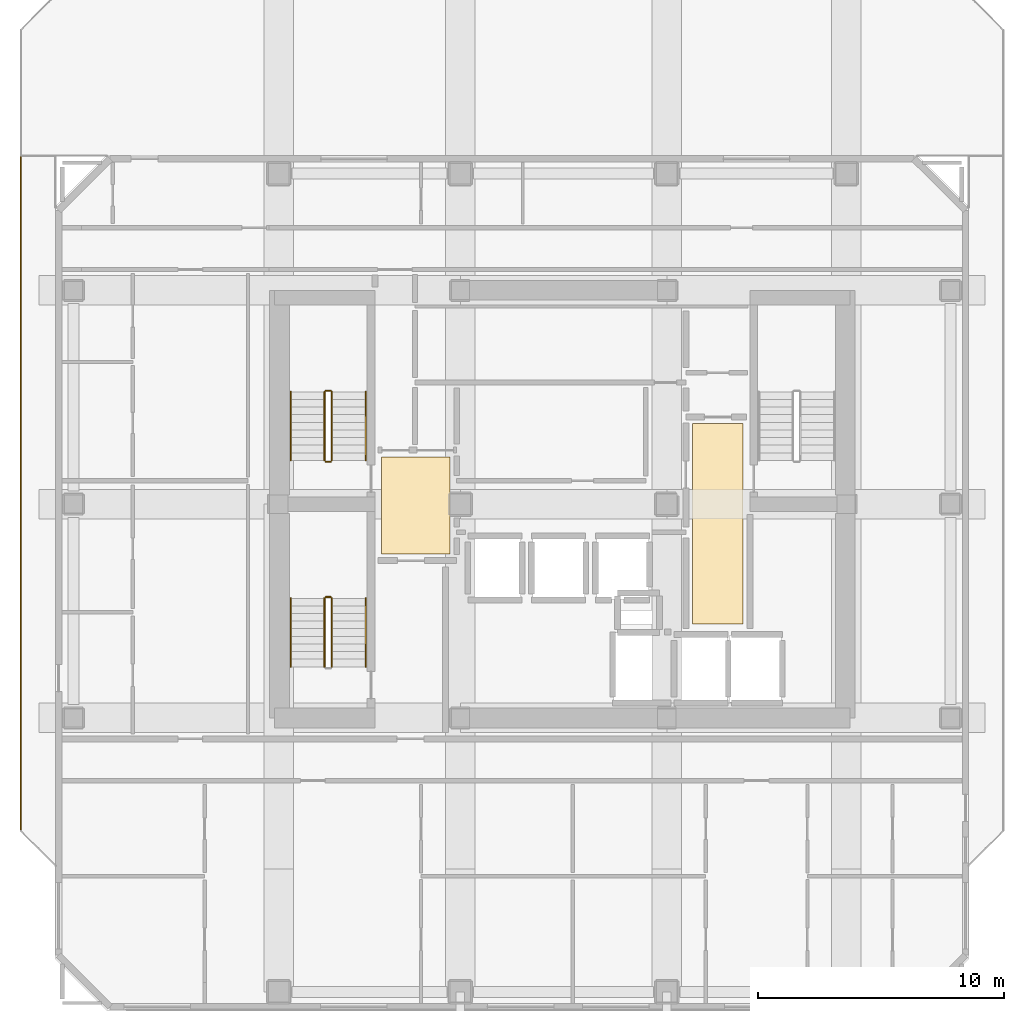
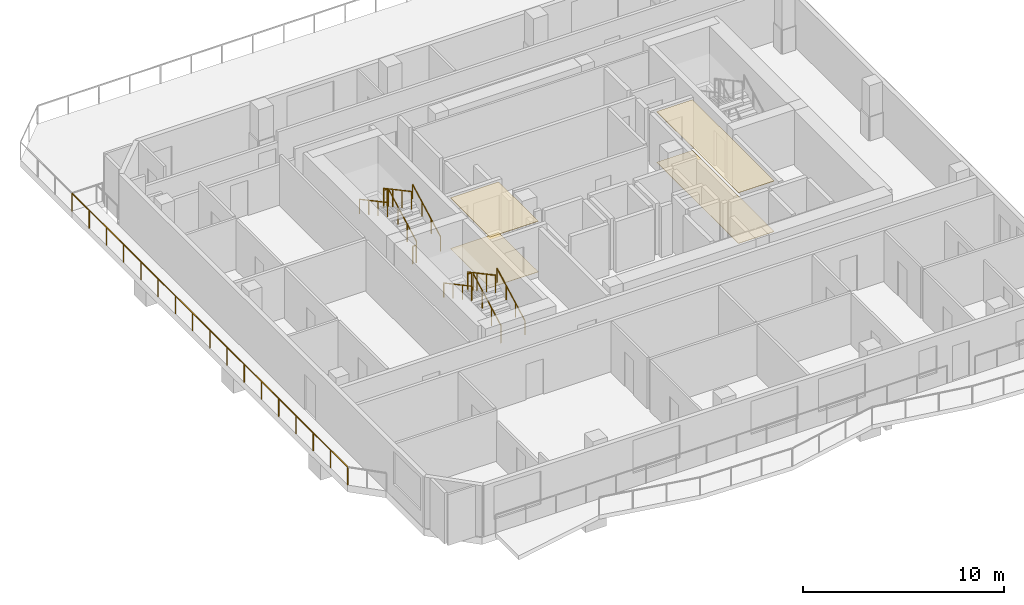
# One storey, part 8 of 10: 12 railings, 4 coverings.
"""IFC4 building model written with IfcOpenShell, lengths in metres."""

import ifcopenshell
import ifcopenshell.guid

model = None  # the IFC model being written
_history = None  # IfcOwnerHistory: only IFC2X3 demands one
_inside = {}  # id of a spatial element -> (the spatial element, [elements in it])
_under = {}  # id of a project, library or spatial element -> (it, [spatial elements below it])
_declared = {}  # id of a project -> (the project, [libraries it declares])
_typed = {}  # id of a type object -> (the type object, [elements of that type])
_made_of = {}  # id of a material, layer set ... -> (it, [elements and type objects made of it])


def new_model(schema):
    """Start an empty IFC model of exactly this schema.

    Asked for "IFC4X3", IfcOpenShell would pick the latest addendum, in which some entities
    have other attributes; the version numbers below select the first issue.
    IFC2X3 requires an IfcOwnerHistory on every rooted entity: one is made here for all.
    """
    global model, _history
    if schema == "IFC4X3":
        model = ifcopenshell.file(schema_version=(4, 3, 0, 0))
    else:
        model = ifcopenshell.file(schema=schema)
    _inside.clear()
    _under.clear()
    _declared.clear()
    _typed.clear()
    _made_of.clear()
    _history = None
    if model.schema == "IFC2X3":
        org = make("IfcOrganization", Name="unknown")
        user = make(
            "IfcPersonAndOrganization",
            ThePerson=make("IfcPerson", FamilyName="unknown"),
            TheOrganization=org,
        )
        app = make(
            "IfcApplication",
            ApplicationDeveloper=org,
            Version="unknown",
            ApplicationFullName="unknown",
            ApplicationIdentifier="unknown",
        )
        _history = make(
            "IfcOwnerHistory",
            OwningUser=user,
            OwningApplication=app,
            ChangeAction="ADDED",
            CreationDate=0,
        )
    return model


def make(cls, **values):
    """One entity of the class cls with the attributes given. An attribute that is None is left unset."""
    return model.create_entity(
        cls, **{name: value for name, value in values.items() if value is not None}
    )


def rooted(cls, **values):
    """An entity with a GlobalId (a new one), such as an element, a storey or a relation."""
    return make(cls, GlobalId=ifcopenshell.guid.new(), OwnerHistory=_history, **values)


def si_unit(unit_type, name, prefix=None):
    """IfcSIUnit, for example si_unit("LENGTHUNIT", "METRE", prefix="MILLI")."""
    return make("IfcSIUnit", UnitType=unit_type, Prefix=prefix, Name=name)


def assignment(units):
    """IfcUnitAssignment: the units of a project."""
    return None if units is None else make("IfcUnitAssignment", Units=units)


def point(xyz):
    """IfcCartesianPoint."""
    return None if xyz is None else make("IfcCartesianPoint", Coordinates=xyz)


def direction(xyz):
    """IfcDirection."""
    return None if xyz is None else make("IfcDirection", DirectionRatios=xyz)


def frame(location, z_axis=None, x_axis=None):
    """IfcAxis2Placement3D, a coordinate frame: its origin and axes. An axis left out is left unset."""
    return make(
        "IfcAxis2Placement3D",
        Location=point(location),
        Axis=direction(z_axis),
        RefDirection=direction(x_axis),
    )


def frame_2d(location, x_axis=None):
    """IfcAxis2Placement2D, a coordinate frame in the plane: its origin and x axis."""
    return make(
        "IfcAxis2Placement2D", Location=point(location), RefDirection=direction(x_axis)
    )


def origin():
    """The frame at (0, 0, 0) with its axes left unset."""
    return frame((0.0, 0.0, 0.0))


def origin_2d():
    """The frame at (0, 0) in the plane with its x axis left unset."""
    return frame_2d((0.0, 0.0))


def place(relative_to, where):
    """IfcLocalPlacement: puts the frame where relative to a parent placement (None: the world)."""
    return make(
        "IfcLocalPlacement", PlacementRelTo=relative_to, RelativePlacement=where
    )


def context(
    kind, dimensions, precision=None, world=None, true_north=None, identifier=None
):
    """IfcGeometricRepresentationContext, for example the 3D "Model" context."""
    return make(
        "IfcGeometricRepresentationContext",
        ContextIdentifier=identifier,
        ContextType=kind,
        CoordinateSpaceDimension=dimensions,
        Precision=precision,
        WorldCoordinateSystem=world,
        TrueNorth=true_north,
    )


def subcontext(parent, identifier, kind, view, scale=None):
    """IfcGeometricRepresentationSubContext, for example "Body" below "Model"."""
    return make(
        "IfcGeometricRepresentationSubContext",
        ContextIdentifier=identifier,
        ContextType=kind,
        ParentContext=parent,
        TargetScale=scale,
        TargetView=view,
    )


def project(units=None, contexts=None):
    """IfcProject with its units and contexts."""
    return rooted(
        "IfcProject",
        Name="project",
        RepresentationContexts=contexts,
        UnitsInContext=assignment(units),
    )


def spatial(cls, under=None, at=None, **own):
    """A site, building, storey or space (cls), placed at a placement, below another one or the project."""
    s = rooted(cls, ObjectPlacement=at, **own)
    if under is not None:
        _under.setdefault(under.id(), (under, []))[1].append(s)
    return s


def polyline(points):
    """IfcPolyline through the points."""
    return make("IfcPolyline", Points=[point(p) for p in points])


def profile(cls, at=None, kind="AREA", **sizes):
    """A parametric profile (cls). Its sizes go by their IFC names, for example OverallWidth=200.0."""
    return make(cls, ProfileType=kind, Position=at, **sizes)


def rectangle(**sizes):
    """IfcRectangleProfileDef."""
    return profile("IfcRectangleProfileDef", **sizes)


def outline(outer, holes=None, kind="AREA"):
    """IfcArbitraryClosedProfileDef: a profile drawn as a closed curve; with holes, ...WithVoids."""
    if holes is None:
        return make("IfcArbitraryClosedProfileDef", ProfileType=kind, OuterCurve=outer)
    return make(
        "IfcArbitraryProfileDefWithVoids",
        ProfileType=kind,
        OuterCurve=outer,
        InnerCurves=holes,
    )


def extrude(swept, where, along, depth):
    """IfcExtrudedAreaSolid: the profile swept, set in the frame where, extruded along a direction by depth."""
    return make(
        "IfcExtrudedAreaSolid",
        SweptArea=swept,
        Position=where,
        ExtrudedDirection=direction(along),
        Depth=depth,
    )


def shape(context_of_items, identifier, shape_type, items):
    """IfcShapeRepresentation: the items that make up one representation, for example the "Body"."""
    return make(
        "IfcShapeRepresentation",
        ContextOfItems=context_of_items,
        RepresentationIdentifier=identifier,
        RepresentationType=shape_type,
        Items=items,
    )


def material(Name=None, Category=None):
    """IfcMaterial."""
    return make("IfcMaterial", Name=Name, Category=Category)


def layer(
    of_material, thickness, ventilated=None, Name=None, Category=None, Priority=None
):
    """IfcMaterialLayer: one layer of a wall or slab, of a material (None: an air gap)."""
    return make(
        "IfcMaterialLayer",
        Material=of_material,
        LayerThickness=thickness,
        IsVentilated=ventilated,
        Name=Name,
        Category=Category,
        Priority=Priority,
    )


def layer_set(layers, Name=None):
    """IfcMaterialLayerSet."""
    return make("IfcMaterialLayerSet", MaterialLayers=layers, LayerSetName=Name)


def made_of(thing, what):
    """Note that an element or type object is made of a material, layer set ...; save() writes the relation."""
    if what is not None:
        _made_of.setdefault(what.id(), (what, []))[1].append(thing)
    return thing


def type_object(cls, material=None, **own):
    """A type object (cls), such as IfcWallType, which elements share."""
    return made_of(rooted(cls, **own), material)


def element(
    cls,
    number,
    at=None,
    inside=None,
    cuts=None,
    type_object=None,
    material=None,
    context=None,
    identifier="Body",
    shape_type=None,
    held_by="IfcProductDefinitionShape",
    body=None,
    shapes=None,
    **own,
):
    """One element of the class cls, such as IfcWall. Its Tag is "e" and its number.

    at: its placement. inside: the storey or other place that contains it. cuts: it is an
    opening in that element (IfcRelVoidsElement). A single representation is given by context,
    identifier, shape_type and body (its items); several are given by shapes. held_by: the class
    of the entity that holds the representations. save() writes the other relations.
    """
    e = rooted(cls, Tag="e%d" % number, ObjectPlacement=at, **own)
    if body is not None:
        shapes = [shape(context, identifier, shape_type, body)]
    if shapes is not None:
        e.Representation = make(held_by, Representations=shapes)
    if inside is not None:
        _inside.setdefault(inside.id(), (inside, []))[1].append(e)
    if cuts is not None:
        rooted(
            "IfcRelVoidsElement", RelatingBuildingElement=cuts, RelatedOpeningElement=e
        )
    if type_object is not None:
        _typed.setdefault(type_object.id(), (type_object, []))[1].append(e)
    return made_of(e, material)


def aggregate(whole, parts):
    """IfcRelAggregates: a whole, such as a stair, and the parts it consists of."""
    return rooted("IfcRelAggregates", RelatingObject=whole, RelatedObjects=parts)


def save(model, path):
    """Write the relations noted so far, then the file.

    IfcRelAggregates (storeys below a building ...), IfcRelContainedInSpatialStructure (elements
    in a storey), IfcRelDefinesByType, IfcRelAssociatesMaterial and IfcRelDeclares: one each for
    every whole, place, type object, material and project.
    """
    for whole, parts in _under.values():
        aggregate(whole, parts)
    for where, things in _inside.values():
        rooted(
            "IfcRelContainedInSpatialStructure",
            RelatedElements=things,
            RelatingStructure=where,
        )
    for kind, things in _typed.values():
        rooted("IfcRelDefinesByType", RelatedObjects=things, RelatingType=kind)
    for what, things in _made_of.values():
        rooted("IfcRelAssociatesMaterial", RelatedObjects=things, RelatingMaterial=what)
    for by, libraries in _declared.values():
        rooted("IfcRelDeclares", RelatingContext=by, RelatedDefinitions=libraries)
    model.write(path)


model = new_model("IFC4")

# Units and contexts
model_context = context("Model", 3, precision=1e-05, world=origin(), true_north=direction((0.0, 1.0)))
body_context = subcontext(model_context, "Body", "Model", "MODEL_VIEW")
ifc_project = project(units=[si_unit("LENGTHUNIT", "METRE"), si_unit("AREAUNIT", "SQUARE_METRE"), si_unit("VOLUMEUNIT", "CUBIC_METRE"), si_unit("PLANEANGLEUNIT", "RADIAN"), si_unit("MASSUNIT", "GRAM", prefix="KILO")], contexts=[model_context])

# Site, building, storey
site_placement = place(None, origin())
site = spatial("IfcSite", under=ifc_project, at=site_placement, CompositionType="ELEMENT")
building_placement = place(site_placement, origin())
building = spatial("IfcBuilding", under=site, at=building_placement, Name="Solanera Arch Residences", CompositionType="ELEMENT")
storey_placement = place(building_placement, frame((0.0, 0.0, 190.159912109375)))
storey = spatial("IfcBuildingStorey", under=building, at=storey_placement, Name="L55", CompositionType="ELEMENT", Elevation=190.159912109375)

# Railing
ifc_material_1 = material(Name="Steel S355 (ASTM A992 / A572 Grade 50)", Category="steel")
railing_type_1 = type_object("IfcRailingType", Name="Balustrade Railing BL-1100", PredefinedType="BALUSTRADE", material=ifc_material_1)
railing_1_placement = place(storey_placement, frame((2.89990234375, 44.8798828125, 0.0)))
element("IfcRailing", 1, at=railing_1_placement, inside=storey, type_object=railing_type_1, Name="L55 Sky Terrace Guardrail 1", PredefinedType="BALUSTRADE", context=body_context, shape_type="SweptSolid", body=[
    extrude(rectangle(XDim=0.048095703125, YDim=0.048095703125, at=origin_2d()), frame((0.0, 0.0, 1.09619140625), z_axis=(0.0, -1.0, 0.0), x_axis=(1.0, 0.0, 0.0)), (0.0, 0.0, 1.0), 27.47998046875),
    extrude(rectangle(XDim=0.0419921875, YDim=0.0419921875, at=origin_2d()), origin(), (0.0, 0.0, 1.0), 1.072021484375),
    extrude(rectangle(XDim=0.0419921875, YDim=0.0419921875, at=origin_2d()), frame((0.0, -1.717529296875, 0.0)), (0.0, 0.0, 1.0), 1.072021484375),
    extrude(rectangle(XDim=0.0419921875, YDim=0.0419921875, at=origin_2d()), frame((0.0, -3.43505859375, 0.0)), (0.0, 0.0, 1.0), 1.072021484375),
    extrude(rectangle(XDim=0.0419921875, YDim=0.0419921875, at=origin_2d()), frame((0.0, -5.152587890625, 0.0)), (0.0, 0.0, 1.0), 1.072021484375),
    extrude(rectangle(XDim=0.0419921875, YDim=0.0419921875, at=origin_2d()), frame((0.0, -6.8701171875, 0.0)), (0.0, 0.0, 1.0), 1.072021484375),
    extrude(rectangle(XDim=0.0419921875, YDim=0.0419921875, at=origin_2d()), frame((0.0, -8.58740234375, 0.0)), (0.0, 0.0, 1.0), 1.072021484375),
    extrude(rectangle(XDim=0.0419921875, YDim=0.0419921875, at=origin_2d()), frame((0.0, -10.304931640625, 0.0)), (0.0, 0.0, 1.0), 1.072021484375),
    extrude(rectangle(XDim=0.0419921875, YDim=0.0419921875, at=origin_2d()), frame((0.0, -12.0224609375, 0.0)), (0.0, 0.0, 1.0), 1.072021484375),
    extrude(rectangle(XDim=0.0419921875, YDim=0.0419921875, at=origin_2d()), frame((0.0, -13.739990234375, 0.0)), (0.0, 0.0, 1.0), 1.072021484375),
    extrude(rectangle(XDim=0.0419921875, YDim=0.0419921875, at=origin_2d()), frame((0.0, -15.45751953125, 0.0)), (0.0, 0.0, 1.0), 1.072021484375),
    extrude(rectangle(XDim=0.0419921875, YDim=0.0419921875, at=origin_2d()), frame((0.0, -17.175048828125, 0.0)), (0.0, 0.0, 1.0), 1.072021484375),
    extrude(rectangle(XDim=0.0419921875, YDim=0.0419921875, at=origin_2d()), frame((0.0, -18.892578125, 0.0)), (0.0, 0.0, 1.0), 1.072021484375),
    extrude(rectangle(XDim=0.0419921875, YDim=0.0419921875, at=origin_2d()), frame((0.0, -20.60986328125, 0.0)), (0.0, 0.0, 1.0), 1.072021484375),
    extrude(rectangle(XDim=0.0419921875, YDim=0.0419921875, at=origin_2d()), frame((0.0, -22.327392578125, 0.0)), (0.0, 0.0, 1.0), 1.072021484375),
    extrude(rectangle(XDim=0.0419921875, YDim=0.0419921875, at=origin_2d()), frame((0.0, -24.044921875, 0.0)), (0.0, 0.0, 1.0), 1.072021484375),
    extrude(rectangle(XDim=0.0419921875, YDim=0.0419921875, at=origin_2d()), frame((0.0, -25.762451171875, 0.0)), (0.0, 0.0, 1.0), 1.072021484375),
    extrude(rectangle(XDim=0.0419921875, YDim=0.0419921875, at=origin_2d()), frame((0.0, -27.47998046875, 0.0)), (0.0, 0.0, 1.0), 1.072021484375),
])

# Coverings
ifc_material_2 = material(Name="Porcelain Acoustic Floor Tile", Category="ceramic")
ifc_layer_1 = layer(ifc_material_2, 0.02001953125)
ifc_layer_set_1 = layer_set([ifc_layer_1], Name="Porcelain Acoustic Floor Tile")
covering_type_1 = type_object("IfcCoveringType", Name="Porcelain Acoustic Floor Finish FLR-20", PredefinedType="FLOORING", material=ifc_layer_set_1)
covering_1_placement = place(storey_placement, origin())
element("IfcCovering", 2, at=covering_1_placement, inside=storey, type_object=covering_type_1, Name="L55-FFL-W Porcelain Floor Finish", PredefinedType="FLOORING", context=body_context, shape_type="SweptSolid", body=[
    extrude(outline(polyline([(20.375, 28.675048828125), (17.594970703125, 28.675048828125), (17.594970703125, 32.625), (20.375, 32.625), (20.375, 28.675048828125)])), origin(), (0.0, 0.0, 1.0), 0.02001953125),
])
covering_2_placement = place(storey_placement, origin())
element("IfcCovering", 3, at=covering_2_placement, inside=storey, type_object=covering_type_1, Name="L55-FFL-E Porcelain Floor Finish", PredefinedType="FLOORING", context=body_context, shape_type="SweptSolid", body=[
    extrude(outline(polyline([(32.304931640625, 25.824951171875), (30.25, 25.824951171875), (30.25, 33.97509765625), (32.304931640625, 33.97509765625), (32.304931640625, 25.824951171875)])), origin(), (0.0, 0.0, 1.0), 0.02001953125),
])

# Railings
ifc_material_3 = material(Name="Steel S355 (ASTM A992 / A572 Grade 50)", Category="steel")
railing_type_2 = type_object("IfcRailingType", Name="Stair Guardrail GR-1100", PredefinedType="GUARDRAIL", material=ifc_material_3)
railing_2_placement = place(storey_placement, frame((15.570068359375, 32.47998046875, 0.151123046875)))
element("IfcRailing", 4, at=railing_2_placement, inside=storey, type_object=railing_type_2, Name="L55 ST-T1 stair guard 1", PredefinedType="GUARDRAIL", context=body_context, shape_type="SweptSolid", body=[
    extrude(rectangle(XDim=0.048095703125, YDim=0.048095703125, at=origin_2d()), frame((0.0, 0.0, 1.076171875), z_axis=(0.0, 0.881580869306, 0.472033018838), x_axis=(-1.0, 0.0, 0.0)), (0.0, 0.0, 1.0), 3.164794921875),
    extrude(rectangle(XDim=0.0419921875, YDim=0.0419921875, at=origin_2d()), origin(), (0.0, 0.0, 1.0), 1.052001953125),
    extrude(rectangle(XDim=0.0419921875, YDim=0.0419921875, at=origin_2d()), frame((0.0, 0.929931640625, 0.498046875)), (0.0, 0.0, 1.0), 1.052001953125),
    extrude(rectangle(XDim=0.0419921875, YDim=0.0419921875, at=origin_2d()), frame((0.0, 1.860107421875, 0.995849609375)), (0.0, 0.0, 1.0), 1.052001953125),
    extrude(rectangle(XDim=0.0419921875, YDim=0.0419921875, at=origin_2d()), frame((0.0, 2.7900390625, 1.493896484375)), (0.0, 0.0, 1.0), 1.052001953125),
])
railing_3_placement = place(storey_placement, frame((15.52001953125, 35.320068359375, 1.64501953125)))
element("IfcRailing", 5, at=railing_3_placement, inside=storey, type_object=railing_type_2, Name="L55 ST-T1 stair guard 2", PredefinedType="GUARDRAIL", context=body_context, shape_type="SweptSolid", body=[
    extrude(rectangle(XDim=0.048095703125, YDim=0.048095703125, at=origin_2d()), frame((0.0, 0.0, 1.076171875), z_axis=(-1.0, 0.0, 0.0), x_axis=(0.0, -1.0, 0.0)), (0.0, 0.0, 1.0), 0.199951171875),
    extrude(rectangle(XDim=0.0419921875, YDim=0.0419921875, at=origin_2d()), origin(), (0.0, 0.0, 1.0), 1.052001953125),
    extrude(rectangle(XDim=0.0419921875, YDim=0.0419921875, at=origin_2d()), frame((-0.199951171875, 0.0, 0.0)), (0.0, 0.0, 1.0), 1.052001953125),
])
railing_4_placement = place(storey_placement, frame((15.27001953125, 35.27001953125, 1.81103515625)))
element("IfcRailing", 6, at=railing_4_placement, inside=storey, type_object=railing_type_2, Name="L55 ST-T1 stair guard 3", PredefinedType="GUARDRAIL", context=body_context, shape_type="SweptSolid", body=[
    extrude(rectangle(XDim=0.048095703125, YDim=0.048095703125, at=origin_2d()), frame((0.0, 0.0, 1.076171875), z_axis=(0.0, -0.881548766853, 0.472092969298), x_axis=(1.0, 0.0, 0.0)), (0.0, 0.0, 1.0), 3.1650390625),
    extrude(rectangle(XDim=0.0419921875, YDim=0.0419921875, at=origin_2d()), origin(), (0.0, 0.0, 1.0), 1.052001953125),
    extrude(rectangle(XDim=0.0419921875, YDim=0.0419921875, at=origin_2d()), frame((0.0, -0.929931640625, 0.498046875)), (0.0, 0.0, 1.0), 1.052001953125),
    extrude(rectangle(XDim=0.0419921875, YDim=0.0419921875, at=origin_2d()), frame((0.0, -1.860107421875, 0.99609375)), (0.0, 0.0, 1.0), 1.052001953125),
    extrude(rectangle(XDim=0.0419921875, YDim=0.0419921875, at=origin_2d()), frame((0.0, -2.7900390625, 1.494140625)), (0.0, 0.0, 1.0), 1.052001953125),
])
railing_5_placement = place(storey_placement, frame((15.52001953125, 32.429931640625, -0.014892578125)))
element("IfcRailing", 7, at=railing_5_placement, inside=storey, type_object=railing_type_2, Name="L55 ST-T1 stair guard 4", PredefinedType="GUARDRAIL", context=body_context, shape_type="SweptSolid", body=[
    extrude(rectangle(XDim=0.048095703125, YDim=0.048095703125, at=origin_2d()), frame((0.0, 0.0, 1.076171875), z_axis=(-1.0, 0.0, 0.0), x_axis=(0.0, -1.0, 0.0)), (0.0, 0.0, 1.0), 0.199951171875),
    extrude(rectangle(XDim=0.0419921875, YDim=0.0419921875, at=origin_2d()), origin(), (0.0, 0.0, 1.0), 1.052001953125),
    extrude(rectangle(XDim=0.0419921875, YDim=0.0419921875, at=origin_2d()), frame((-0.199951171875, 0.0, 0.0)), (0.0, 0.0, 1.0), 1.052001953125),
])
railing_6_placement = place(storey_placement, frame((15.570068359375, 24.080078125, 0.151123046875)))
element("IfcRailing", 8, at=railing_6_placement, inside=storey, type_object=railing_type_2, Name="L55 ST-T3 stair guard 1", PredefinedType="GUARDRAIL", context=body_context, shape_type="SweptSolid", body=[
    extrude(rectangle(XDim=0.048095703125, YDim=0.048095703125, at=origin_2d()), frame((0.0, 0.0, 1.076171875), z_axis=(0.0, 0.881580869306, 0.472033018838), x_axis=(-1.0, 0.0, 0.0)), (0.0, 0.0, 1.0), 3.164794921875),
    extrude(rectangle(XDim=0.0419921875, YDim=0.0419921875, at=origin_2d()), origin(), (0.0, 0.0, 1.0), 1.052001953125),
    extrude(rectangle(XDim=0.0419921875, YDim=0.0419921875, at=origin_2d()), frame((0.0, 0.929931640625, 0.498046875)), (0.0, 0.0, 1.0), 1.052001953125),
    extrude(rectangle(XDim=0.0419921875, YDim=0.0419921875, at=origin_2d()), frame((0.0, 1.860107421875, 0.995849609375)), (0.0, 0.0, 1.0), 1.052001953125),
    extrude(rectangle(XDim=0.0419921875, YDim=0.0419921875, at=origin_2d()), frame((0.0, 2.7900390625, 1.493896484375)), (0.0, 0.0, 1.0), 1.052001953125),
])
railing_7_placement = place(storey_placement, frame((15.52001953125, 26.919921875, 1.64501953125)))
element("IfcRailing", 9, at=railing_7_placement, inside=storey, type_object=railing_type_2, Name="L55 ST-T3 stair guard 2", PredefinedType="GUARDRAIL", context=body_context, shape_type="SweptSolid", body=[
    extrude(rectangle(XDim=0.048095703125, YDim=0.048095703125, at=origin_2d()), frame((0.0, 0.0, 1.076171875), z_axis=(-1.0, 0.0, 0.0), x_axis=(0.0, -1.0, 0.0)), (0.0, 0.0, 1.0), 0.199951171875),
    extrude(rectangle(XDim=0.0419921875, YDim=0.0419921875, at=origin_2d()), origin(), (0.0, 0.0, 1.0), 1.052001953125),
    extrude(rectangle(XDim=0.0419921875, YDim=0.0419921875, at=origin_2d()), frame((-0.199951171875, 0.0, 0.0)), (0.0, 0.0, 1.0), 1.052001953125),
])
railing_8_placement = place(storey_placement, frame((15.27001953125, 26.8701171875, 1.81103515625)))
element("IfcRailing", 10, at=railing_8_placement, inside=storey, type_object=railing_type_2, Name="L55 ST-T3 stair guard 3", PredefinedType="GUARDRAIL", context=body_context, shape_type="SweptSolid", body=[
    extrude(rectangle(XDim=0.048095703125, YDim=0.048095703125, at=origin_2d()), frame((0.0, 0.0, 1.076171875), z_axis=(0.0, -0.881548766853, 0.472092969298), x_axis=(1.0, 0.0, 0.0)), (0.0, 0.0, 1.0), 3.1650390625),
    extrude(rectangle(XDim=0.0419921875, YDim=0.0419921875, at=origin_2d()), origin(), (0.0, 0.0, 1.0), 1.052001953125),
    extrude(rectangle(XDim=0.0419921875, YDim=0.0419921875, at=origin_2d()), frame((0.0, -0.929931640625, 0.498046875)), (0.0, 0.0, 1.0), 1.052001953125),
    extrude(rectangle(XDim=0.0419921875, YDim=0.0419921875, at=origin_2d()), frame((0.0, -1.860107421875, 0.99609375)), (0.0, 0.0, 1.0), 1.052001953125),
    extrude(rectangle(XDim=0.0419921875, YDim=0.0419921875, at=origin_2d()), frame((0.0, -2.7900390625, 1.494140625)), (0.0, 0.0, 1.0), 1.052001953125),
])
ifc_material_4 = material(Name="Steel S355 (ASTM A992 / A572 Grade 50)", Category="steel")
railing_type_3 = type_object("IfcRailingType", Name="Stair Wall Handrail HR-920", PredefinedType="HANDRAIL", material=ifc_material_4)
railing_9_placement = place(storey_placement, frame((16.949951171875, 32.47998046875, 0.166015625)))
element("IfcRailing", 11, at=railing_9_placement, inside=storey, type_object=railing_type_3, Name="L55 ST-T1 stair handrail 1", PredefinedType="HANDRAIL", context=body_context, shape_type="SweptSolid", body=[
    extrude(rectangle(XDim=0.048095703125, YDim=0.048095703125, at=origin_2d()), frame((0.0, 0.0, 0.8759765625), z_axis=(0.0, 0.881548766853, 0.472092969298), x_axis=(-1.0, 0.0, 0.0)), (0.0, 0.0, 1.0), 3.1650390625),
    extrude(rectangle(XDim=0.0419921875, YDim=0.0419921875, at=origin_2d()), origin(), (0.0, 0.0, 1.0), 0.851806640625),
    extrude(rectangle(XDim=0.0419921875, YDim=0.0419921875, at=origin_2d()), frame((0.0, 0.929931640625, 0.498046875)), (0.0, 0.0, 1.0), 0.851806640625),
    extrude(rectangle(XDim=0.0419921875, YDim=0.0419921875, at=origin_2d()), frame((0.0, 1.860107421875, 0.99609375)), (0.0, 0.0, 1.0), 0.851806640625),
    extrude(rectangle(XDim=0.0419921875, YDim=0.0419921875, at=origin_2d()), frame((0.0, 2.7900390625, 1.494140625)), (0.0, 0.0, 1.0), 0.851806640625),
])
railing_10_placement = place(storey_placement, frame((13.889892578125, 35.27001953125, 1.826171875)))
element("IfcRailing", 12, at=railing_10_placement, inside=storey, type_object=railing_type_3, Name="L55 ST-T1 stair handrail 2", PredefinedType="HANDRAIL", context=body_context, shape_type="SweptSolid", body=[
    extrude(rectangle(XDim=0.048095703125, YDim=0.048095703125, at=origin_2d()), frame((0.0, 0.0, 0.8759765625), z_axis=(0.0, -0.881580869306, 0.472033018838), x_axis=(1.0, 0.0, 0.0)), (0.0, 0.0, 1.0), 3.164794921875),
    extrude(rectangle(XDim=0.0419921875, YDim=0.0419921875, at=origin_2d()), origin(), (0.0, 0.0, 1.0), 0.851806640625),
    extrude(rectangle(XDim=0.0419921875, YDim=0.0419921875, at=origin_2d()), frame((0.0, -0.929931640625, 0.498046875)), (0.0, 0.0, 1.0), 0.851806640625),
    extrude(rectangle(XDim=0.0419921875, YDim=0.0419921875, at=origin_2d()), frame((0.0, -1.860107421875, 0.995849609375)), (0.0, 0.0, 1.0), 0.851806640625),
    extrude(rectangle(XDim=0.0419921875, YDim=0.0419921875, at=origin_2d()), frame((0.0, -2.7900390625, 1.493896484375)), (0.0, 0.0, 1.0), 0.851806640625),
])
railing_11_placement = place(storey_placement, frame((16.949951171875, 24.080078125, 0.166015625)))
element("IfcRailing", 13, at=railing_11_placement, inside=storey, type_object=railing_type_3, Name="L55 ST-T3 stair handrail 1", PredefinedType="HANDRAIL", context=body_context, shape_type="SweptSolid", body=[
    extrude(rectangle(XDim=0.048095703125, YDim=0.048095703125, at=origin_2d()), frame((0.0, 0.0, 0.8759765625), z_axis=(0.0, 0.881548766853, 0.472092969298), x_axis=(-1.0, 0.0, 0.0)), (0.0, 0.0, 1.0), 3.1650390625),
    extrude(rectangle(XDim=0.0419921875, YDim=0.0419921875, at=origin_2d()), origin(), (0.0, 0.0, 1.0), 0.851806640625),
    extrude(rectangle(XDim=0.0419921875, YDim=0.0419921875, at=origin_2d()), frame((0.0, 0.929931640625, 0.498046875)), (0.0, 0.0, 1.0), 0.851806640625),
    extrude(rectangle(XDim=0.0419921875, YDim=0.0419921875, at=origin_2d()), frame((0.0, 1.860107421875, 0.99609375)), (0.0, 0.0, 1.0), 0.851806640625),
    extrude(rectangle(XDim=0.0419921875, YDim=0.0419921875, at=origin_2d()), frame((0.0, 2.7900390625, 1.494140625)), (0.0, 0.0, 1.0), 0.851806640625),
])
railing_12_placement = place(storey_placement, frame((13.889892578125, 26.8701171875, 1.826171875)))
element("IfcRailing", 14, at=railing_12_placement, inside=storey, type_object=railing_type_3, Name="L55 ST-T3 stair handrail 2", PredefinedType="HANDRAIL", context=body_context, shape_type="SweptSolid", body=[
    extrude(rectangle(XDim=0.048095703125, YDim=0.048095703125, at=origin_2d()), frame((0.0, 0.0, 0.8759765625), z_axis=(0.0, -0.881580869306, 0.472033018838), x_axis=(1.0, 0.0, 0.0)), (0.0, 0.0, 1.0), 3.164794921875),
    extrude(rectangle(XDim=0.0419921875, YDim=0.0419921875, at=origin_2d()), origin(), (0.0, 0.0, 1.0), 0.851806640625),
    extrude(rectangle(XDim=0.0419921875, YDim=0.0419921875, at=origin_2d()), frame((0.0, -0.929931640625, 0.498046875)), (0.0, 0.0, 1.0), 0.851806640625),
    extrude(rectangle(XDim=0.0419921875, YDim=0.0419921875, at=origin_2d()), frame((0.0, -1.860107421875, 0.995849609375)), (0.0, 0.0, 1.0), 0.851806640625),
    extrude(rectangle(XDim=0.0419921875, YDim=0.0419921875, at=origin_2d()), frame((0.0, -2.7900390625, 1.493896484375)), (0.0, 0.0, 1.0), 0.851806640625),
])

# Coverings
ifc_material_5 = material(Name="Mineral Fibre Acoustic Ceiling Board", Category="gypsum")
ifc_layer_2 = layer(ifc_material_5, 0.02490234375)
ifc_layer_set_2 = layer_set([ifc_layer_2], Name="Mineral Fibre Acoustic Ceiling Board")
covering_type_2 = type_object("IfcCoveringType", Name="Suspended Acoustic Ceiling Board CLG-25", PredefinedType="CEILING", material=ifc_layer_set_2)
covering_3_placement = place(storey_placement, frame((0.0, 0.0, 3.0751953125)))
element("IfcCovering", 15, at=covering_3_placement, inside=storey, type_object=covering_type_2, Name="L55-FFL-W Acoustic Ceiling", PredefinedType="CEILING", context=body_context, shape_type="SweptSolid", body=[
    extrude(outline(polyline([(20.375, 28.675048828125), (17.594970703125, 28.675048828125), (17.594970703125, 32.625), (20.375, 32.625), (20.375, 28.675048828125)])), origin(), (0.0, 0.0, 1.0), 0.02490234375),
])
covering_4_placement = place(storey_placement, frame((0.0, 0.0, 3.0751953125)))
element("IfcCovering", 16, at=covering_4_placement, inside=storey, type_object=covering_type_2, Name="L55-FFL-E Acoustic Ceiling", PredefinedType="CEILING", context=body_context, shape_type="SweptSolid", body=[
    extrude(outline(polyline([(32.304931640625, 25.824951171875), (30.25, 25.824951171875), (30.25, 33.97509765625), (32.304931640625, 33.97509765625), (32.304931640625, 25.824951171875)])), origin(), (0.0, 0.0, 1.0), 0.02490234375),
])

save(model, "model.ifc")
